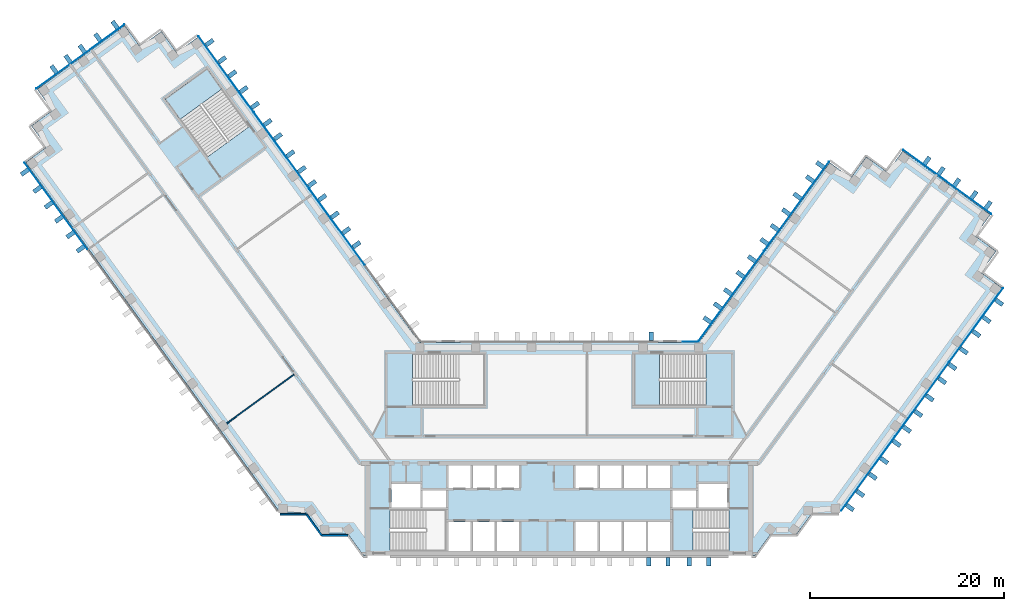
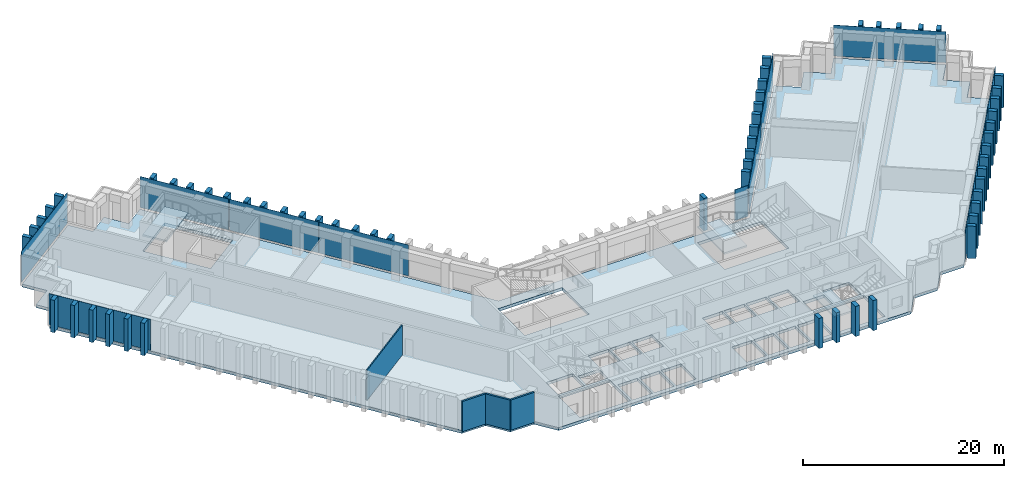
"""IFC4 building model written with IfcOpenShell, lengths in metres."""

import ifcopenshell
import ifcopenshell.guid

model = None  # the IFC model being written
_history = None  # IfcOwnerHistory: only IFC2X3 demands one
_inside = {}  # id of a spatial element -> (the spatial element, [elements in it])
_under = {}  # id of a project, library or spatial element -> (it, [spatial elements below it])
_declared = {}  # id of a project -> (the project, [libraries it declares])
_typed = {}  # id of a type object -> (the type object, [elements of that type])
_made_of = {}  # id of a material, layer set ... -> (it, [elements and type objects made of it])


def new_model(schema):
    """Start an empty IFC model of exactly this schema.

    Asked for "IFC4X3", IfcOpenShell would pick the latest addendum, in which some entities
    have other attributes; the version numbers below select the first issue.
    IFC2X3 requires an IfcOwnerHistory on every rooted entity: one is made here for all.
    """
    global model, _history
    if schema == "IFC4X3":
        model = ifcopenshell.file(schema_version=(4, 3, 0, 0))
    else:
        model = ifcopenshell.file(schema=schema)
    _inside.clear()
    _under.clear()
    _declared.clear()
    _typed.clear()
    _made_of.clear()
    _history = None
    if model.schema == "IFC2X3":
        org = make("IfcOrganization", Name="unknown")
        user = make(
            "IfcPersonAndOrganization",
            ThePerson=make("IfcPerson", FamilyName="unknown"),
            TheOrganization=org,
        )
        app = make(
            "IfcApplication",
            ApplicationDeveloper=org,
            Version="unknown",
            ApplicationFullName="unknown",
            ApplicationIdentifier="unknown",
        )
        _history = make(
            "IfcOwnerHistory",
            OwningUser=user,
            OwningApplication=app,
            ChangeAction="ADDED",
            CreationDate=0,
        )
    return model


def make(cls, **values):
    """One entity of the class cls with the attributes given. An attribute that is None is left unset."""
    return model.create_entity(
        cls, **{name: value for name, value in values.items() if value is not None}
    )


def rooted(cls, **values):
    """An entity with a GlobalId (a new one), such as an element, a storey or a relation."""
    return make(cls, GlobalId=ifcopenshell.guid.new(), OwnerHistory=_history, **values)


def si_unit(unit_type, name, prefix=None):
    """IfcSIUnit, for example si_unit("LENGTHUNIT", "METRE", prefix="MILLI")."""
    return make("IfcSIUnit", UnitType=unit_type, Prefix=prefix, Name=name)


def assignment(units):
    """IfcUnitAssignment: the units of a project."""
    return None if units is None else make("IfcUnitAssignment", Units=units)


def point(xyz):
    """IfcCartesianPoint."""
    return None if xyz is None else make("IfcCartesianPoint", Coordinates=xyz)


def direction(xyz):
    """IfcDirection."""
    return None if xyz is None else make("IfcDirection", DirectionRatios=xyz)


def frame(location, z_axis=None, x_axis=None):
    """IfcAxis2Placement3D, a coordinate frame: its origin and axes. An axis left out is left unset."""
    return make(
        "IfcAxis2Placement3D",
        Location=point(location),
        Axis=direction(z_axis),
        RefDirection=direction(x_axis),
    )


def frame_2d(location, x_axis=None):
    """IfcAxis2Placement2D, a coordinate frame in the plane: its origin and x axis."""
    return make(
        "IfcAxis2Placement2D", Location=point(location), RefDirection=direction(x_axis)
    )


def origin():
    """The frame at (0, 0, 0) with its axes left unset."""
    return frame((0.0, 0.0, 0.0))


def origin_2d():
    """The frame at (0, 0) in the plane with its x axis left unset."""
    return frame_2d((0.0, 0.0))


def place(relative_to, where):
    """IfcLocalPlacement: puts the frame where relative to a parent placement (None: the world)."""
    return make(
        "IfcLocalPlacement", PlacementRelTo=relative_to, RelativePlacement=where
    )


def context(
    kind, dimensions, precision=None, world=None, true_north=None, identifier=None
):
    """IfcGeometricRepresentationContext, for example the 3D "Model" context."""
    return make(
        "IfcGeometricRepresentationContext",
        ContextIdentifier=identifier,
        ContextType=kind,
        CoordinateSpaceDimension=dimensions,
        Precision=precision,
        WorldCoordinateSystem=world,
        TrueNorth=true_north,
    )


def subcontext(parent, identifier, kind, view, scale=None):
    """IfcGeometricRepresentationSubContext, for example "Body" below "Model"."""
    return make(
        "IfcGeometricRepresentationSubContext",
        ContextIdentifier=identifier,
        ContextType=kind,
        ParentContext=parent,
        TargetScale=scale,
        TargetView=view,
    )


def project(units=None, contexts=None):
    """IfcProject with its units and contexts."""
    return rooted(
        "IfcProject",
        Name="project",
        RepresentationContexts=contexts,
        UnitsInContext=assignment(units),
    )


def spatial(cls, under=None, at=None, **own):
    """A site, building, storey or space (cls), placed at a placement, below another one or the project."""
    s = rooted(cls, ObjectPlacement=at, **own)
    if under is not None:
        _under.setdefault(under.id(), (under, []))[1].append(s)
    return s


def polyline(points):
    """IfcPolyline through the points."""
    return make("IfcPolyline", Points=[point(p) for p in points])


def profile(cls, at=None, kind="AREA", **sizes):
    """A parametric profile (cls). Its sizes go by their IFC names, for example OverallWidth=200.0."""
    return make(cls, ProfileType=kind, Position=at, **sizes)


def rectangle(**sizes):
    """IfcRectangleProfileDef."""
    return profile("IfcRectangleProfileDef", **sizes)


def outline(outer, holes=None, kind="AREA"):
    """IfcArbitraryClosedProfileDef: a profile drawn as a closed curve; with holes, ...WithVoids."""
    if holes is None:
        return make("IfcArbitraryClosedProfileDef", ProfileType=kind, OuterCurve=outer)
    return make(
        "IfcArbitraryProfileDefWithVoids",
        ProfileType=kind,
        OuterCurve=outer,
        InnerCurves=holes,
    )


def extrude(swept, where, along, depth):
    """IfcExtrudedAreaSolid: the profile swept, set in the frame where, extruded along a direction by depth."""
    return make(
        "IfcExtrudedAreaSolid",
        SweptArea=swept,
        Position=where,
        ExtrudedDirection=direction(along),
        Depth=depth,
    )


def shape(context_of_items, identifier, shape_type, items):
    """IfcShapeRepresentation: the items that make up one representation, for example the "Body"."""
    return make(
        "IfcShapeRepresentation",
        ContextOfItems=context_of_items,
        RepresentationIdentifier=identifier,
        RepresentationType=shape_type,
        Items=items,
    )


def material(Name=None, Category=None):
    """IfcMaterial."""
    return make("IfcMaterial", Name=Name, Category=Category)


def layer(
    of_material, thickness, ventilated=None, Name=None, Category=None, Priority=None
):
    """IfcMaterialLayer: one layer of a wall or slab, of a material (None: an air gap)."""
    return make(
        "IfcMaterialLayer",
        Material=of_material,
        LayerThickness=thickness,
        IsVentilated=ventilated,
        Name=Name,
        Category=Category,
        Priority=Priority,
    )


def layer_set(layers, Name=None):
    """IfcMaterialLayerSet."""
    return make("IfcMaterialLayerSet", MaterialLayers=layers, LayerSetName=Name)


def made_of(thing, what):
    """Note that an element or type object is made of a material, layer set ...; save() writes the relation."""
    if what is not None:
        _made_of.setdefault(what.id(), (what, []))[1].append(thing)
    return thing


def type_object(cls, material=None, **own):
    """A type object (cls), such as IfcWallType, which elements share."""
    return made_of(rooted(cls, **own), material)


def element(
    cls,
    number,
    at=None,
    inside=None,
    cuts=None,
    type_object=None,
    material=None,
    context=None,
    identifier="Body",
    shape_type=None,
    held_by="IfcProductDefinitionShape",
    body=None,
    shapes=None,
    **own,
):
    """One element of the class cls, such as IfcWall. Its Tag is "e" and its number.

    at: its placement. inside: the storey or other place that contains it. cuts: it is an
    opening in that element (IfcRelVoidsElement). A single representation is given by context,
    identifier, shape_type and body (its items); several are given by shapes. held_by: the class
    of the entity that holds the representations. save() writes the other relations.
    """
    e = rooted(cls, Tag="e%d" % number, ObjectPlacement=at, **own)
    if body is not None:
        shapes = [shape(context, identifier, shape_type, body)]
    if shapes is not None:
        e.Representation = make(held_by, Representations=shapes)
    if inside is not None:
        _inside.setdefault(inside.id(), (inside, []))[1].append(e)
    if cuts is not None:
        rooted(
            "IfcRelVoidsElement", RelatingBuildingElement=cuts, RelatedOpeningElement=e
        )
    if type_object is not None:
        _typed.setdefault(type_object.id(), (type_object, []))[1].append(e)
    return made_of(e, material)


def aggregate(whole, parts):
    """IfcRelAggregates: a whole, such as a stair, and the parts it consists of."""
    return rooted("IfcRelAggregates", RelatingObject=whole, RelatedObjects=parts)


def save(model, path):
    """Write the relations noted so far, then the file.

    IfcRelAggregates (storeys below a building ...), IfcRelContainedInSpatialStructure (elements
    in a storey), IfcRelDefinesByType, IfcRelAssociatesMaterial and IfcRelDeclares: one each for
    every whole, place, type object, material and project.
    """
    for whole, parts in _under.values():
        aggregate(whole, parts)
    for where, things in _inside.values():
        rooted(
            "IfcRelContainedInSpatialStructure",
            RelatedElements=things,
            RelatingStructure=where,
        )
    for kind, things in _typed.values():
        rooted("IfcRelDefinesByType", RelatedObjects=things, RelatingType=kind)
    for what, things in _made_of.values():
        rooted("IfcRelAssociatesMaterial", RelatedObjects=things, RelatingMaterial=what)
    for by, libraries in _declared.values():
        rooted("IfcRelDeclares", RelatingContext=by, RelatedDefinitions=libraries)
    model.write(path)


model = new_model("IFC4")

# Units and contexts
model_context = context("Model", 3, precision=1e-05, world=origin(), true_north=direction((0.0, 1.0)))
body_context = subcontext(model_context, "Body", "Model", "MODEL_VIEW")
ifc_project = project(units=[si_unit("LENGTHUNIT", "METRE"), si_unit("AREAUNIT", "SQUARE_METRE"), si_unit("VOLUMEUNIT", "CUBIC_METRE"), si_unit("PLANEANGLEUNIT", "RADIAN"), si_unit("MASSUNIT", "GRAM", prefix="KILO")], contexts=[model_context])

# Site, building, storey
site_placement = place(None, origin())
site = spatial("IfcSite", under=ifc_project, at=site_placement, CompositionType="ELEMENT")
building_placement = place(site_placement, origin())
building = spatial("IfcBuilding", under=site, at=building_placement, Name="Quipu Civic Tower", CompositionType="ELEMENT")
storey_1_placement = place(building_placement, frame((0.0, 0.0, 117.0)))
storey_1 = spatial("IfcBuildingStorey", under=building, at=storey_1_placement, Name="L27", CompositionType="ELEMENT", Elevation=117.0)

# Slab
ifc_material_1 = material(Name="Concrete C40/50", Category="concrete")
ifc_layer_1 = layer(ifc_material_1, 0.35009765625)
ifc_layer_set_1 = layer_set([ifc_layer_1], Name="Concrete C40/50")
slab_type_1 = type_object("IfcSlabType", Name="Floor slab 350 C40/50", PredefinedType="FLOOR", material=ifc_layer_set_1)
slab_1_placement = place(storey_1_placement, frame((0.0, 0.0, -0.35009765625)))
element("IfcSlab", 1, at=slab_1_placement, inside=storey_1, type_object=slab_type_1, Name="Floor slab L27", PredefinedType="FLOOR", context=body_context, shape_type="SweptSolid", body=[
    extrude(outline(polyline([(27.909912109375, 29.60498046875), (30.094970703125, 28.014892578125), (31.68505859375, 30.199951171875), (33.864990234375, 28.614990234375), (35.455078125, 30.800048828125), (44.514892578125, 24.215087890625), (42.929931640625, 22.030029296875), (45.114990234375, 20.445068359375), (43.52490234375, 18.260009765625), (45.7099609375, 16.669921875), (28.780029296875, -6.6298828125), (26.080078125, -6.6298828125), (24.489990234375, -8.81494140625), (21.7900390625, -8.81494140625), (20.205078125, -11.0), (-20.205078125, -11.0), (-21.7900390625, -8.81494140625), (-24.489990234375, -8.81494140625), (-26.080078125, -6.6298828125), (-28.780029296875, -6.6298828125), (-55.114990234375, 29.614990234375), (-52.929931640625, 31.205078125), (-54.514892578125, 33.389892578125), (-52.3349609375, 34.97509765625), (-53.919921875, 37.159912109375), (-44.860107421875, 43.739990234375), (-43.27001953125, 41.56005859375), (-41.0849609375, 43.14501953125), (-39.5, 40.9599609375), (-37.31494140625, 42.550048828125), (-14.39501953125, 11.0), (14.39501953125, 11.0), (27.909912109375, 29.60498046875)]), holes=[polyline([(-11.449951171875, -7.5), (-11.449951171875, -10.5), (-9.14990234375, -10.5), (-9.14990234375, -7.5), (-11.449951171875, -7.5)]), polyline([(-8.949951171875, -7.5), (-8.949951171875, -10.5), (-6.64990234375, -10.5), (-6.64990234375, -7.5), (-8.949951171875, -7.5)]), polyline([(-6.449951171875, -7.5), (-6.449951171875, -10.5), (-4.14990234375, -10.5), (-4.14990234375, -7.5), (-6.449951171875, -7.5)]), polyline([(-11.705078125, -10.4951171875), (-11.705078125, -6.2548828125), (-17.4951171875, -6.2548828125), (-17.4951171875, -10.4951171875), (-11.705078125, -10.4951171875)]), polyline([(-11.699951171875, -4.25), (-14.10009765625, -4.25), (-14.10009765625, -6.0), (-11.699951171875, -6.0), (-11.699951171875, -4.25)]), polyline([(-17.35009765625, -3.60009765625), (-17.35009765625, -6.0), (-14.35009765625, -6.0), (-14.35009765625, -3.60009765625), (-17.35009765625, -3.60009765625)]), polyline([(-9.14990234375, -1.699951171875), (-11.449951171875, -1.699951171875), (-11.449951171875, -4.0), (-9.14990234375, -4.0), (-9.14990234375, -1.699951171875)]), polyline([(-6.64990234375, -1.699951171875), (-8.949951171875, -1.699951171875), (-8.949951171875, -4.0), (-6.64990234375, -4.0), (-6.64990234375, -1.699951171875)]), polyline([(-6.449951171875, -1.699951171875), (-6.449951171875, -4.0), (-4.14990234375, -4.0), (-4.14990234375, -1.699951171875), (-6.449951171875, -1.699951171875)]), polyline([(3.949951171875, -1.699951171875), (1.64990234375, -1.699951171875), (1.64990234375, -4.0), (3.949951171875, -4.0), (3.949951171875, -1.699951171875)]), polyline([(-7.7548828125, 4.5048828125), (-7.7548828125, 9.844970703125), (-15.14501953125, 9.844970703125), (-15.14501953125, 4.5048828125), (-7.7548828125, 4.5048828125)]), polyline([(-40.68505859375, 36.135009765625), (-36.344970703125, 30.159912109375), (-32.02490234375, 33.300048828125), (-36.364990234375, 39.27490234375), (-40.68505859375, 36.135009765625)]), polyline([(3.949951171875, -7.5), (1.64990234375, -7.5), (1.64990234375, -10.5), (3.949951171875, -10.5), (3.949951171875, -7.5)]), polyline([(6.449951171875, -7.5), (4.14990234375, -7.5), (4.14990234375, -10.5), (6.449951171875, -10.5), (6.449951171875, -7.5)]), polyline([(6.64990234375, -7.5), (6.64990234375, -10.5), (8.949951171875, -10.5), (8.949951171875, -7.5), (6.64990234375, -7.5)]), polyline([(11.449951171875, -7.5), (9.14990234375, -7.5), (9.14990234375, -10.5), (11.449951171875, -10.5), (11.449951171875, -7.5)]), polyline([(11.705078125, -6.2548828125), (11.705078125, -10.4951171875), (17.4951171875, -10.4951171875), (17.4951171875, -6.2548828125), (11.705078125, -6.2548828125)]), polyline([(11.699951171875, -4.25), (11.699951171875, -6.0), (14.10009765625, -6.0), (14.10009765625, -4.25), (11.699951171875, -4.25)]), polyline([(17.35009765625, -3.60009765625), (14.35009765625, -3.60009765625), (14.35009765625, -6.0), (17.35009765625, -6.0), (17.35009765625, -3.60009765625)]), polyline([(6.449951171875, -1.699951171875), (4.14990234375, -1.699951171875), (4.14990234375, -4.0), (6.449951171875, -4.0), (6.449951171875, -1.699951171875)]), polyline([(6.64990234375, -1.699951171875), (6.64990234375, -4.0), (8.949951171875, -4.0), (8.949951171875, -1.699951171875), (6.64990234375, -1.699951171875)]), polyline([(11.449951171875, -1.699951171875), (9.14990234375, -1.699951171875), (9.14990234375, -4.0), (11.449951171875, -4.0), (11.449951171875, -1.699951171875)]), polyline([(7.7548828125, 9.844970703125), (7.7548828125, 4.5048828125), (15.14501953125, 4.5048828125), (15.14501953125, 9.844970703125), (7.7548828125, 9.844970703125)])]), origin(), (0.0, 0.0, 1.0), 0.35009765625),
])

# Storey
storey_2_placement = place(building_placement, frame((0.0, 0.0, 113.0)))
storey_2 = spatial("IfcBuildingStorey", under=building, at=storey_2_placement, Name="L26", CompositionType="ELEMENT", Elevation=113.0)

# Curtain wall, plates
ifc_material_2 = material(Name="Insulated glass unit", Category="glass")
curtain_wall_type = type_object("IfcCurtainWallType", Name="Office curtain wall CW1", PredefinedType="NOTDEFINED", material=ifc_material_2)
curtain_wall_1_placement = place(storey_2_placement, origin())
curtain_wall_1 = element("IfcCurtainWall", 2, at=curtain_wall_1_placement, inside=storey_2, type_object=curtain_wall_type, Name="Office curtain wall CW1 L25 run 1", PredefinedType="NOTDEFINED")
ifc_material_3 = material(Name="Insulated glass unit", Category="glass")
ifc_layer_2 = layer(ifc_material_3, 0.028076171875)
ifc_layer_set_2 = layer_set([ifc_layer_2], Name="Insulated glass unit")
plate_type_1 = type_object("IfcPlateType", Name="Glass panel CW1", PredefinedType="CURTAIN_PANEL", material=ifc_layer_set_2)
plate_1_placement = place(storey_1_placement, frame((-22.950439453125, 22.9453125, 0.16015625), z_axis=(0.0, 0.0, 1.0), x_axis=(-0.587785887566, 0.809016532822, 0.0)))
plate_1 = element("IfcPlate", 3, at=plate_1_placement, inside=storey_1, type_object=plate_type_1, Name="CW1 panel 2.3", PredefinedType="CURTAIN_PANEL", context=body_context, shape_type="SweptSolid", body=[
    extrude(rectangle(XDim=9.68115234375, YDim=0.028076171875, at=origin_2d()), origin(), (0.0, 0.0, 1.0), 3.760009765625),
])
plate_2_placement = place(storey_1_placement, frame((-28.687744140625, 30.84228515625, 0.16015625), z_axis=(0.0, 0.0, 1.0), x_axis=(-0.587785887566, 0.809016532822, 0.0)))
plate_2 = element("IfcPlate", 4, at=plate_2_placement, inside=storey_1, type_object=plate_type_1, Name="CW1 panel 3.3", PredefinedType="CURTAIN_PANEL", context=body_context, shape_type="SweptSolid", body=[
    extrude(rectangle(XDim=9.68115234375, YDim=0.028076171875, at=origin_2d()), origin(), (0.0, 0.0, 1.0), 3.760009765625),
])
plate_3_placement = place(storey_1_placement, frame((-34.413330078125, 38.722900390625, 0.16015625), z_axis=(0.0, 0.0, 1.0), x_axis=(-0.587785887566, 0.809016532822, 0.0)))
plate_3 = element("IfcPlate", 5, at=plate_3_placement, inside=storey_1, type_object=plate_type_1, Name="CW1 panel 4.3", PredefinedType="CURTAIN_PANEL", context=body_context, shape_type="SweptSolid", body=[
    extrude(rectangle(XDim=9.64111328125, YDim=0.028076171875, at=origin_2d()), origin(), (0.0, 0.0, 1.0), 3.760009765625),
])
aggregate(curtain_wall_1, [plate_1, plate_2, plate_3])

# Curtain wall, plate
curtain_wall_2_placement = place(storey_2_placement, origin())
curtain_wall_2 = element("IfcCurtainWall", 6, at=curtain_wall_2_placement, inside=storey_2, type_object=curtain_wall_type, Name="Office curtain wall CW1 L25 run 6", PredefinedType="NOTDEFINED")
plate_4_placement = place(storey_1_placement, frame((-49.447998046875, 40.53173828125, 0.16015625), z_axis=(0.0, 0.0, 1.0), x_axis=(-0.809019348124, -0.587782012621, 0.0)))
plate_4 = element("IfcPlate", 7, at=plate_4_placement, inside=storey_1, type_object=plate_type_1, Name="CW1 panel 1.3", PredefinedType="CURTAIN_PANEL", context=body_context, shape_type="SweptSolid", body=[
    extrude(rectangle(XDim=11.239990234375, YDim=0.028076171875, at=origin_2d()), origin(), (0.0, 0.0, 1.0), 3.760009765625),
])
aggregate(curtain_wall_2, [plate_4])

curtain_wall_3_placement = place(storey_2_placement, origin())
curtain_wall_3 = element("IfcCurtainWall", 8, at=curtain_wall_3_placement, inside=storey_2, type_object=curtain_wall_type, Name="Office curtain wall CW1 L25 run 11", PredefinedType="NOTDEFINED")
plate_5_placement = place(storey_1_placement, frame((-51.967529296875, 25.114990234375, 0.16015625), z_axis=(0.0, 0.0, 1.0), x_axis=(0.587785559869, -0.809016770908, 0.0)))
plate_5 = element("IfcPlate", 9, at=plate_5_placement, inside=storey_1, type_object=plate_type_1, Name="CW1 panel 1.3", PredefinedType="CURTAIN_PANEL", context=body_context, shape_type="SweptSolid", body=[
    extrude(rectangle(XDim=11.022705078125, YDim=0.028076171875, at=origin_2d()), origin(), (0.0, 0.0, 1.0), 3.760009765625),
])
aggregate(curtain_wall_3, [plate_5])

# Curtain wall, plates
curtain_wall_4_placement = place(storey_2_placement, origin())
curtain_wall_4 = element("IfcCurtainWall", 10, at=curtain_wall_4_placement, inside=storey_2, type_object=curtain_wall_type, Name="Office curtain wall CW1 L25 run 23", PredefinedType="NOTDEFINED")
plate_6_placement = place(storey_1_placement, frame((31.86669921875, -2.551513671875, 0.16015625), z_axis=(0.0, 0.0, 1.0), x_axis=(0.587785375786, 0.809016904652, 0.0)))
plate_6 = element("IfcPlate", 11, at=plate_6_placement, inside=storey_1, type_object=plate_type_1, Name="CW1 panel 1.3", PredefinedType="CURTAIN_PANEL", context=body_context, shape_type="SweptSolid", body=[
    extrude(rectangle(XDim=9.403564453125, YDim=0.028076171875, at=origin_2d()), origin(), (0.0, 0.0, 1.0), 3.760009765625),
])
plate_7_placement = place(storey_1_placement, frame((37.45263671875, 5.13720703125, 0.16015625), z_axis=(0.0, 0.0, 1.0), x_axis=(0.587785375786, 0.809016904652, 0.0)))
plate_7 = element("IfcPlate", 12, at=plate_7_placement, inside=storey_1, type_object=plate_type_1, Name="CW1 panel 2.3", PredefinedType="CURTAIN_PANEL", context=body_context, shape_type="SweptSolid", body=[
    extrude(rectangle(XDim=9.443603515625, YDim=0.028076171875, at=origin_2d()), origin(), (0.0, 0.0, 1.0), 3.760009765625),
])
plate_8_placement = place(storey_1_placement, frame((43.038818359375, 12.82568359375, 0.16015625), z_axis=(0.0, 0.0, 1.0), x_axis=(0.587785375786, 0.809016904652, 0.0)))
plate_8 = element("IfcPlate", 13, at=plate_8_placement, inside=storey_1, type_object=plate_type_1, Name="CW1 panel 3.3", PredefinedType="CURTAIN_PANEL", context=body_context, shape_type="SweptSolid", body=[
    extrude(rectangle(XDim=9.403564453125, YDim=0.028076171875, at=origin_2d()), origin(), (0.0, 0.0, 1.0), 3.760009765625),
])
aggregate(curtain_wall_4, [plate_6, plate_7, plate_8])

# Curtain wall, plate
curtain_wall_5_placement = place(storey_2_placement, origin())
curtain_wall_5 = element("IfcCurtainWall", 14, at=curtain_wall_5_placement, inside=storey_2, type_object=curtain_wall_type, Name="Office curtain wall CW1 L25 run 25", PredefinedType="NOTDEFINED")
plate_9_placement = place(storey_1_placement, frame((40.04345703125, 27.58740234375, 0.16015625), z_axis=(0.0, 0.0, 1.0), x_axis=(-0.809015176832, 0.587787753918, 0.0)))
plate_9 = element("IfcPlate", 15, at=plate_9_placement, inside=storey_1, type_object=plate_type_1, Name="CW1 panel 1.3", PredefinedType="CURTAIN_PANEL", context=body_context, shape_type="SweptSolid", body=[
    extrude(rectangle(XDim=11.239990234375, YDim=0.028076171875, at=origin_2d()), origin(), (0.0, 0.0, 1.0), 3.760009765625),
])
aggregate(curtain_wall_5, [plate_9])

# Curtain wall, plates
curtain_wall_6_placement = place(storey_2_placement, origin())
curtain_wall_6 = element("IfcCurtainWall", 16, at=curtain_wall_6_placement, inside=storey_2, type_object=curtain_wall_type, Name="Office curtain wall CW1 L25 run 30", PredefinedType="NOTDEFINED")
plate_10_placement = place(storey_1_placement, frame((24.491455078125, 25.066162109375, 0.16015625), z_axis=(0.0, 0.0, 1.0), x_axis=(-0.587788727052, -0.809014469803, 0.0)))
plate_10 = element("IfcPlate", 17, at=plate_10_placement, inside=storey_1, type_object=plate_type_1, Name="CW1 panel 1.3", PredefinedType="CURTAIN_PANEL", context=body_context, shape_type="SweptSolid", body=[
    extrude(rectangle(XDim=11.402099609375, YDim=0.028076171875, at=origin_2d()), origin(), (0.0, 0.0, 1.0), 3.760009765625),
])
plate_11_placement = place(storey_1_placement, frame((17.7421875, 15.777099609375, 0.16015625), z_axis=(0.0, 0.0, 1.0), x_axis=(-0.587788727052, -0.809014469803, 0.0)))
plate_11 = element("IfcPlate", 18, at=plate_11_placement, inside=storey_1, type_object=plate_type_1, Name="CW1 panel 2.3", PredefinedType="CURTAIN_PANEL", context=body_context, shape_type="SweptSolid", body=[
    extrude(rectangle(XDim=11.402099609375, YDim=0.028076171875, at=origin_2d()), origin(), (0.0, 0.0, 1.0), 3.760009765625),
])
aggregate(curtain_wall_6, [plate_10, plate_11])

# Curtain wall, plate
curtain_wall_7_placement = place(storey_2_placement, origin())
curtain_wall_7 = element("IfcCurtainWall", 19, at=curtain_wall_7_placement, inside=storey_2, type_object=curtain_wall_type, Name="Office curtain wall CW1 L25 run 31", PredefinedType="NOTDEFINED")
plate_12_placement = place(storey_1_placement, frame((13.49951171875, 11.10009765625, 0.16015625), z_axis=(0.0, 0.0, 1.0), x_axis=(-1.0, 0.0, 0.0)))
plate_12 = element("IfcPlate", 20, at=plate_12_placement, inside=storey_1, type_object=plate_type_1, Name="CW1 panel 1.3", PredefinedType="CURTAIN_PANEL", context=body_context, shape_type="SweptSolid", body=[
    extrude(rectangle(XDim=1.529296875, YDim=0.028076171875, at=origin_2d()), origin(), (0.0, 0.0, 1.0), 3.760009765625),
])
aggregate(curtain_wall_7, [plate_12])

# Plates
ifc_material_4 = material(Name="Precast concrete C40/50", Category="concrete")
plate_type_2 = type_object("IfcPlateType", Name="Precast fin F1", PredefinedType="SHEET", material=ifc_material_4)
for number, where, z_axis, x_axis, name in (
    (21, (-20.9375, 21.110595703125, 0.080078125), (0.0, 0.0, 1.0), (-0.587784944053, 0.809017218324, 0.0), "Precast fin F1 L27.P01.6"),
    (22, (-21.995361328125, 22.566650390625, 0.080078125), (0.0, 0.0, 1.0), (-0.587784944053, 0.809017218324, 0.0), "Precast fin F1 L27.P01.7"),
    (23, (-23.171142578125, 24.184814453125, 0.080078125), (0.0, 0.0, 1.0), (-0.587784944053, 0.809017218324, 0.0), "Precast fin F1 L27.P01.8"),
    (24, (-24.464111328125, 25.964599609375, 0.080078125), (0.0, 0.0, 1.0), (-0.587784944053, 0.809017218324, 0.0), "Precast fin F1 L27.P01.9"),
    (25, (-25.522216796875, 27.4208984375, 0.080078125), (0.0, 0.0, 1.0), (-0.587784944053, 0.809017218324, 0.0), "Precast fin F1 L27.P01.10"),
    (26, (-26.580078125, 28.876953125, 0.080078125), (0.0, 0.0, 1.0), (-0.587784944053, 0.809017218324, 0.0), "Precast fin F1 L27.P01.11"),
    (27, (-27.755859375, 30.4951171875, 0.080078125), (0.0, 0.0, 1.0), (-0.587784944053, 0.809017218324, 0.0), "Precast fin F1 L27.P01.12"),
    (28, (-29.048828125, 32.27490234375, 0.080078125), (0.0, 0.0, 1.0), (-0.587784944053, 0.809017218324, 0.0), "Precast fin F1 L27.P01.13"),
    (29, (-30.10693359375, 33.731201171875, 0.080078125), (0.0, 0.0, 1.0), (-0.587784944053, 0.809017218324, 0.0), "Precast fin F1 L27.P01.14"),
    (30, (-31.400146484375, 35.510986328125, 0.080078125), (0.0, 0.0, 1.0), (-0.587784944053, 0.809017218324, 0.0), "Precast fin F1 L27.P01.15"),
    (31, (-32.57568359375, 37.129150390625, 0.080078125), (0.0, 0.0, 1.0), (-0.587784944053, 0.809017218324, 0.0), "Precast fin F1 L27.P01.16"),
    (32, (-33.751220703125, 38.7470703125, 0.080078125), (0.0, 0.0, 1.0), (-0.587784944053, 0.809017218324, 0.0), "Precast fin F1 L27.P01.17"),
    (33, (-34.80908203125, 40.203369140625, 0.080078125), (0.0, 0.0, 1.0), (-0.587784944053, 0.809017218324, 0.0), "Precast fin F1 L27.P01.18"),
    (34, (-36.102294921875, 41.983154296875, 0.080078125), (0.0, 0.0, 1.0), (-0.587784944053, 0.809017218324, 0.0), "Precast fin F1 L27.P01.19"),
    (35, (-45.867919921875, 43.812744140625, 0.080078125), (0.0, 0.0, 1.0), (-0.809021318545, -0.587779300537, 0.0), "Precast fin F1 L27.P06.1"),
    (36, (-47.647705078125, 42.51953125, 0.080078125), (0.0, 0.0, 1.0), (-0.809021318545, -0.587779300537, 0.0), "Precast fin F1 L27.P06.2"),
    (37, (-49.265625, 41.343994140625, 0.080078125), (0.0, 0.0, 1.0), (-0.809021318545, -0.587779300537, 0.0), "Precast fin F1 L27.P06.3"),
    (38, (-50.721923828125, 40.2861328125, 0.080078125), (0.0, 0.0, 1.0), (-0.809021318545, -0.587779300537, 0.0), "Precast fin F1 L27.P06.4"),
    (39, (-52.17822265625, 39.22802734375, 0.080078125), (0.0, 0.0, 1.0), (-0.809021318545, -0.587779300537, 0.0), "Precast fin F1 L27.P06.5"),
    (40, (-55.184814453125, 28.607421875, 0.080078125), (0.0, 0.0, 1.0), (0.587785716149, -0.809016657363, 0.0), "Precast fin F1 L27.P11.1"),
    (41, (-53.8916015625, 26.82763671875, 0.080078125), (0.0, 0.0, 1.0), (0.587785716149, -0.809016657363, 0.0), "Precast fin F1 L27.P11.2"),
    (42, (-52.716064453125, 25.20947265625, 0.080078125), (0.0, 0.0, 1.0), (0.587785716149, -0.809016657363, 0.0), "Precast fin F1 L27.P11.3"),
    (43, (-51.657958984375, 23.75341796875, 0.080078125), (0.0, 0.0, 1.0), (0.587785716149, -0.809016657363, 0.0), "Precast fin F1 L27.P11.4"),
    (44, (-50.482421875, 22.13525390625, 0.080078125), (0.0, 0.0, 1.0), (0.587785716149, -0.809016657363, 0.0), "Precast fin F1 L27.P11.5"),
    (45, (-49.42431640625, 20.67919921875, 0.080078125), (0.0, 0.0, 1.0), (0.587785716149, -0.809016657363, 0.0), "Precast fin F1 L27.P11.6"),
):
    element("IfcPlate", number, at=place(storey_1_placement, frame(where, z_axis=z_axis, x_axis=x_axis)), inside=storey_1, type_object=plate_type_2, Name=name, PredefinedType="SHEET", context=body_context, shape_type="SweptSolid", body=[
        extrude(rectangle(XDim=0.449951171875, YDim=0.89990234375, at=origin_2d()), origin(), (0.0, 0.0, 1.0), 3.919921875),
    ])
for number, where, z_axis, x_axis, name in (
    (46, (9.22509765625, -11.637939453125, 0.0), (0.0, 0.0, 1.0), (1.0, 0.0, 0.0), "Precast fin F1 L27.P18.14"),
    (47, (11.22509765625, -11.637939453125, 0.0), (0.0, 0.0, 1.0), (1.0, 0.0, 0.0), "Precast fin F1 L27.P18.15"),
    (48, (13.425048828125, -11.637939453125, 0.0), (0.0, 0.0, 1.0), (1.0, 0.0, 0.0), "Precast fin F1 L27.P18.16"),
    (49, (15.425048828125, -11.637939453125, 0.0), (0.0, 0.0, 1.0), (1.0, 0.0, 0.0), "Precast fin F1 L27.P18.17"),
):
    element("IfcPlate", number, at=place(storey_1_placement, frame(where, z_axis=z_axis, x_axis=x_axis)), inside=storey_1, type_object=plate_type_2, Name=name, PredefinedType="SHEET", context=body_context, shape_type="SweptSolid", body=[
        extrude(rectangle(XDim=0.449951171875, YDim=0.89990234375, at=origin_2d()), origin(), (0.0, 0.0, 1.0), 3.64990234375),
    ])
for number, where, z_axis, x_axis, name in (
    (50, (30.014404296875, -6.036376953125, 0.080078125), (0.0, 0.0, 1.0), (0.587785620359, 0.809016726959, 0.0), "Precast fin F1 L27.P24.1"),
    (51, (31.072509765625, -4.580078125, 0.080078125), (0.0, 0.0, 1.0), (0.587785620359, 0.809016726959, 0.0), "Precast fin F1 L27.P24.2"),
    (52, (32.36572265625, -2.80029296875, 0.080078125), (0.0, 0.0, 1.0), (0.587785620359, 0.809016726959, 0.0), "Precast fin F1 L27.P24.3"),
    (53, (33.541259765625, -1.18212890625, 0.080078125), (0.0, 0.0, 1.0), (0.587785620359, 0.809016726959, 0.0), "Precast fin F1 L27.P24.4"),
    (54, (34.834228515625, 0.59765625, 0.080078125), (0.0, 0.0, 1.0), (0.587785620359, 0.809016726959, 0.0), "Precast fin F1 L27.P24.5"),
    (55, (35.892333984375, 2.0537109375, 0.080078125), (0.0, 0.0, 1.0), (0.587785620359, 0.809016726959, 0.0), "Precast fin F1 L27.P24.6"),
    (56, (37.06787109375, 3.671875, 0.080078125), (0.0, 0.0, 1.0), (0.587785620359, 0.809016726959, 0.0), "Precast fin F1 L27.P24.7"),
    (57, (38.243408203125, 5.289794921875, 0.080078125), (0.0, 0.0, 1.0), (0.587785620359, 0.809016726959, 0.0), "Precast fin F1 L27.P24.8"),
    (58, (39.53662109375, 7.06982421875, 0.080078125), (0.0, 0.0, 1.0), (0.587785620359, 0.809016726959, 0.0), "Precast fin F1 L27.P24.9"),
    (59, (40.5947265625, 8.52587890625, 0.080078125), (0.0, 0.0, 1.0), (0.587785620359, 0.809016726959, 0.0), "Precast fin F1 L27.P24.10"),
    (60, (41.770263671875, 10.14404296875, 0.080078125), (0.0, 0.0, 1.0), (0.587785620359, 0.809016726959, 0.0), "Precast fin F1 L27.P24.11"),
    (61, (43.063232421875, 11.923828125, 0.080078125), (0.0, 0.0, 1.0), (0.587785620359, 0.809016726959, 0.0), "Precast fin F1 L27.P24.12"),
    (62, (44.121337890625, 13.380126953125, 0.080078125), (0.0, 0.0, 1.0), (0.587785620359, 0.809016726959, 0.0), "Precast fin F1 L27.P24.13"),
    (63, (45.41455078125, 15.159912109375, 0.080078125), (0.0, 0.0, 1.0), (0.587785620359, 0.809016726959, 0.0), "Precast fin F1 L27.P24.14"),
    (64, (44.270263671875, 25.1962890625, 0.080078125), (0.0, 0.0, 1.0), (-0.809017072762, 0.587785144401, 0.0), "Precast fin F1 L27.P26.1"),
    (65, (42.81396484375, 26.25439453125, 0.080078125), (0.0, 0.0, 1.0), (-0.809017072762, 0.587785144401, 0.0), "Precast fin F1 L27.P26.2"),
    (66, (41.0341796875, 27.547607421875, 0.080078125), (0.0, 0.0, 1.0), (-0.809017072762, 0.587785144401, 0.0), "Precast fin F1 L27.P26.3"),
    (67, (39.416259765625, 28.72314453125, 0.080078125), (0.0, 0.0, 1.0), (-0.809017072762, 0.587785144401, 0.0), "Precast fin F1 L27.P26.4"),
    (68, (37.9599609375, 29.781005859375, 0.080078125), (0.0, 0.0, 1.0), (-0.809017072762, 0.587785144401, 0.0), "Precast fin F1 L27.P26.5"),
    (69, (26.93017578125, 29.358642578125, 0.080078125), (0.0, 0.0, 1.0), (-0.587787133119, -0.809015627871, 0.0), "Precast fin F1 L27.P31.1"),
    (70, (25.8720703125, 27.90234375, 0.080078125), (0.0, 0.0, 1.0), (-0.587787133119, -0.809015627871, 0.0), "Precast fin F1 L27.P31.2"),
    (71, (24.578857421875, 26.12255859375, 0.080078125), (0.0, 0.0, 1.0), (-0.587787133119, -0.809015627871, 0.0), "Precast fin F1 L27.P31.3"),
    (72, (23.4033203125, 24.50439453125, 0.080078125), (0.0, 0.0, 1.0), (-0.587787133119, -0.809015627871, 0.0), "Precast fin F1 L27.P31.4"),
    (73, (22.227783203125, 22.886474609375, 0.080078125), (0.0, 0.0, 1.0), (-0.587787133119, -0.809015627871, 0.0), "Precast fin F1 L27.P31.5"),
    (74, (21.169677734375, 21.43017578125, 0.080078125), (0.0, 0.0, 1.0), (-0.587787133119, -0.809015627871, 0.0), "Precast fin F1 L27.P31.6"),
    (75, (19.876708984375, 19.650390625, 0.080078125), (0.0, 0.0, 1.0), (-0.587787133119, -0.809015627871, 0.0), "Precast fin F1 L27.P31.7"),
    (76, (18.701171875, 18.032470703125, 0.080078125), (0.0, 0.0, 1.0), (-0.587787133119, -0.809015627871, 0.0), "Precast fin F1 L27.P31.8"),
    (77, (17.407958984375, 16.25244140625, 0.080078125), (0.0, 0.0, 1.0), (-0.587787133119, -0.809015627871, 0.0), "Precast fin F1 L27.P31.9"),
    (78, (16.349853515625, 14.79638671875, 0.080078125), (0.0, 0.0, 1.0), (-0.587787133119, -0.809015627871, 0.0), "Precast fin F1 L27.P31.10"),
    (79, (15.2919921875, 13.340087890625, 0.080078125), (0.0, 0.0, 1.0), (-0.587787133119, -0.809015627871, 0.0), "Precast fin F1 L27.P31.11"),
    (80, (9.47509765625, 11.64990234375, 0.080078125), (0.0, 0.0, 1.0), (-1.0, 0.0, 0.0), "Precast fin F1 L27.P34.1"),
):
    element("IfcPlate", number, at=place(storey_1_placement, frame(where, z_axis=z_axis, x_axis=x_axis)), inside=storey_1, type_object=plate_type_2, Name=name, PredefinedType="SHEET", context=body_context, shape_type="SweptSolid", body=[
        extrude(rectangle(XDim=0.449951171875, YDim=0.89990234375, at=origin_2d()), origin(), (0.0, 0.0, 1.0), 3.919921875),
    ])

# Stair, slab
ifc_material_5 = material(Name="Concrete C40/50", Category="concrete")
stair_type_1 = type_object("IfcStairType", Name="Half turn stair 2000", PredefinedType="HALF_TURN_STAIR", material=ifc_material_5)
stair_1_placement = place(storey_1_placement, origin())
stair_1 = element("IfcStair", 81, at=stair_1_placement, inside=storey_1, type_object=stair_type_1, Name="Exit stair 2", PredefinedType="HALF_TURN_STAIR")
ifc_material_6 = material(Name="Concrete C40/50", Category="concrete")
ifc_layer_3 = layer(ifc_material_6, 0.199951171875)
ifc_layer_set_3 = layer_set([ifc_layer_3], Name="Concrete C40/50")
slab_type_2 = type_object("IfcSlabType", Name="Stair landing 200", PredefinedType="LANDING", material=ifc_layer_set_3)
slab_2_placement = place(storey_1_placement, frame((0.0, 0.0, 1.800048828125)))
slab_2 = element("IfcSlab", 82, at=slab_2_placement, type_object=slab_type_2, Name="ST-2 landing 1", PredefinedType="LANDING", context=body_context, shape_type="SweptSolid", body=[
    extrude(outline(polyline([(13.780029296875, -6.25), (11.699951171875, -6.25), (11.699951171875, -10.5), (13.780029296875, -10.5), (13.780029296875, -6.25)])), origin(), (0.0, 0.0, 1.0), 0.199951171875),
])
aggregate(stair_1, [slab_2])

ifc_material_7 = material(Name="Concrete C40/50", Category="concrete")
stair_type_2 = type_object("IfcStairType", Name="Half turn stair 2600", PredefinedType="HALF_TURN_STAIR", material=ifc_material_7)
stair_2_placement = place(storey_1_placement, origin())
stair_2 = element("IfcStair", 83, at=stair_2_placement, inside=storey_1, type_object=stair_type_2, Name="Exit stair 4", PredefinedType="HALF_TURN_STAIR")
slab_3_placement = place(storey_1_placement, frame((0.0, 0.0, 1.800048828125)))
slab_3 = element("IfcSlab", 84, at=slab_3_placement, type_object=slab_type_2, Name="ST-4 landing 1", PredefinedType="LANDING", context=body_context, shape_type="SweptSolid", body=[
    extrude(outline(polyline([(10.35009765625, 9.85009765625), (7.75, 9.85009765625), (7.75, 4.5), (10.35009765625, 4.5), (10.35009765625, 9.85009765625)])), origin(), (0.0, 0.0, 1.0), 0.199951171875),
])
aggregate(stair_2, [slab_3])

stair_3_placement = place(storey_1_placement, origin())
stair_3 = element("IfcStair", 85, at=stair_3_placement, inside=storey_1, type_object=stair_type_2, Name="Exit stair 6", PredefinedType="HALF_TURN_STAIR")
slab_4_placement = place(storey_1_placement, frame((0.0, 0.0, 1.800048828125)))
slab_4 = element("IfcSlab", 86, at=slab_4_placement, type_object=slab_type_2, Name="ST-6 landing 1", PredefinedType="LANDING", context=body_context, shape_type="SweptSolid", body=[
    extrude(outline(polyline([(-34.837158203125, 37.179443359375), (-36.365478515625, 39.282958984375), (-40.69384765625, 36.138427734375), (-39.16552734375, 34.034912109375), (-34.837158203125, 37.179443359375)])), origin(), (0.0, 0.0, 1.0), 0.199951171875),
])
aggregate(stair_3, [slab_4])

# Walls
ifc_material_8 = material(Name="Gypsum plasterboard on light gauge framing")
ifc_layer_4 = layer(ifc_material_8, 0.1201171875)
ifc_layer_set_4 = layer_set([ifc_layer_4], Name="Gypsum plasterboard on light gauge framing")
wall_type_1 = type_object("IfcWallType", Name="Partition 120 plasterboard", PredefinedType="PARTITIONING", material=ifc_layer_set_4)
wall_1_placement = place(storey_1_placement, frame((-27.38916015625, 7.702880859375, 0.0), z_axis=(0.0, 0.0, 1.0), x_axis=(-0.809052894195, -0.587735837256, 0.0)))
element("IfcWall", 87, at=wall_1_placement, inside=storey_1, type_object=wall_type_1, Name="Partition P04", PredefinedType="PARTITIONING", context=body_context, shape_type="SweptSolid", body=[
    extrude(rectangle(XDim=8.594482421875, YDim=0.1201171875, at=frame_2d((4.29736328125, 0.0))), origin(), (0.0, 0.0, 1.0), 3.64990234375),
])
ifc_material_9 = material(Name="Precast concrete C40/50", Category="concrete")
wall_type_2 = type_object("IfcWallType", Name="Precast cladding wall", PredefinedType="SOLIDWALL", material=ifc_material_9)
wall_2_placement = place(storey_1_placement, frame((-28.829833984375, -6.71923828125, 0.0), z_axis=(0.0, 0.0, 1.0), x_axis=(1.0, 0.0, 0.0)))
element("IfcWall", 88, at=wall_2_placement, inside=storey_1, type_object=wall_type_2, Name="Precast cladding wall L27 P12", PredefinedType="SOLIDWALL", context=body_context, shape_type="SweptSolid", body=[
    extrude(rectangle(XDim=2.699951171875, YDim=0.199951171875, at=frame_2d((1.35009765625, 0.0))), origin(), (0.0, 0.0, 1.0), 3.64990234375),
])
wall_3_placement = place(storey_1_placement, frame((-26.1201171875, -6.72412109375, 0.0), z_axis=(0.0, 0.0, 1.0), x_axis=(0.587720002413, -0.809064397168, 0.0)))
element("IfcWall", 89, at=wall_3_placement, inside=storey_1, type_object=wall_type_2, Name="Precast cladding wall L27 P13", PredefinedType="SOLIDWALL", context=body_context, shape_type="SweptSolid", body=[
    extrude(rectangle(XDim=2.7001953125, YDim=0.199951171875, at=frame_2d((1.35009765625, 0.0))), origin(), (0.0, 0.0, 1.0), 3.64990234375),
])
wall_4_placement = place(storey_1_placement, frame((-24.542724609375, -8.90380859375, 0.0), z_axis=(0.0, 0.0, 1.0), x_axis=(1.0, 0.0, 0.0)))
element("IfcWall", 90, at=wall_4_placement, inside=storey_1, type_object=wall_type_2, Name="Precast cladding wall L27 P14", PredefinedType="SOLIDWALL", context=body_context, shape_type="SweptSolid", body=[
    extrude(rectangle(XDim=2.699951171875, YDim=0.199951171875, at=frame_2d((1.35009765625, 0.0))), origin(), (0.0, 0.0, 1.0), 3.64990234375),
])

save(model, "model.ifc")
